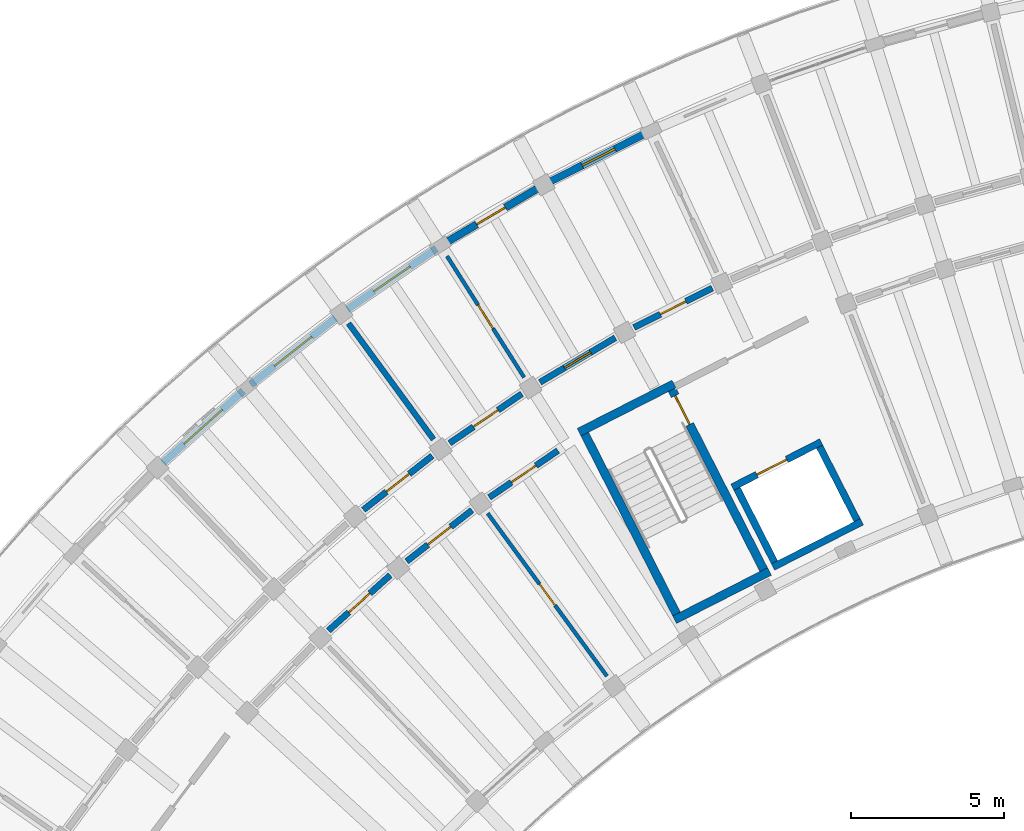
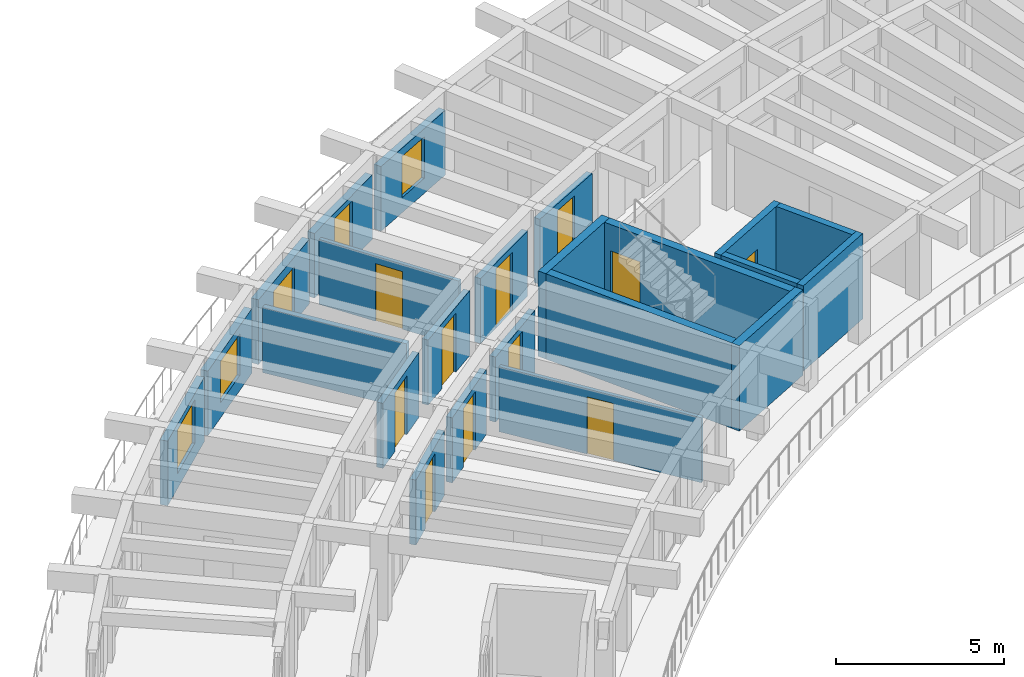
# One storey, part 44 of 78: 23 walls, 12 doors, 4 windows, 16 openings.
"""IFC4 building model written with IfcOpenShell, lengths in metres."""

from ifc_helpers import new_model, si_unit, direction, frame, frame_2d, origin, place, context, subcontext, project, spatial, rectangle, extrude, material, layer, layer_set, type_object, element, fill, save


model = new_model("IFC4")

# Units and contexts
model_context = context("Model", 3, precision=1e-05, world=origin(), true_north=direction((0.0, 1.0)))
body_context = subcontext(model_context, "Body", "Model", "MODEL_VIEW")
ifc_project = project(units=[si_unit("LENGTHUNIT", "METRE"), si_unit("AREAUNIT", "SQUARE_METRE"), si_unit("VOLUMEUNIT", "CUBIC_METRE"), si_unit("PLANEANGLEUNIT", "RADIAN"), si_unit("MASSUNIT", "GRAM", prefix="KILO")], contexts=[model_context])

# Site, building, storey
site_placement = place(None, origin())
site = spatial("IfcSite", under=ifc_project, at=site_placement, CompositionType="ELEMENT")
building_placement = place(site_placement, origin())
building = spatial("IfcBuilding", under=site, at=building_placement, Name="Tanwirah Colonnade Gardens", CompositionType="ELEMENT")
storey_placement = place(building_placement, frame((0.0, 0.0, 22.280029296875)))
storey = spatial("IfcBuildingStorey", under=building, at=storey_placement, Name="L06", CompositionType="ELEMENT", Elevation=22.280029296875)

# Wall, opening, window
ifc_material_1 = material(Name="Limestone architectural precast concrete C40/50", Category="masonry")
ifc_layer_1 = layer(ifc_material_1, 0.2451171875)
ifc_layer_set_1 = layer_set([ifc_layer_1], Name="Limestone architectural precast concrete C40/50")
wall_type_1 = type_object("IfcWallType", Name="EW-PC245", PredefinedType="SOLIDWALL", material=ifc_layer_set_1)
wall_1_placement = place(storey_placement, frame((39.794921875, 114.147216796875, 0.0), z_axis=(0.0, 0.0, 1.0), x_axis=(-0.892756700232, -0.450539092855, 0.0)))
wall_1 = element("IfcWall", 1, at=wall_1_placement, inside=storey, type_object=wall_type_1, Name="Block A L06 OUT Precast Facade Wall 5", PredefinedType="SOLIDWALL", context=body_context, shape_type="SweptSolid", body=[
    extrude(rectangle(XDim=3.520751953125, YDim=0.2451171875, at=frame_2d((1.76025390625, 0.0))), origin(), (0.0, 0.0, 1.0), 2.35498046875),
])
opening_1_placement = place(wall_1_placement, frame((1.160400390625, 0.0, 0.550048828125)))
opening_1 = element("IfcOpeningElement", 2, at=opening_1_placement, cuts=wall_1, Name="Opening WIN-U02", PredefinedType="OPENING", context=body_context, shape_type="SweptSolid", body=[
    extrude(rectangle(XDim=1.199951171875, YDim=1.510009765625, at=frame_2d((0.60009765625, 0.7548828125))), frame((0.0, 0.132568359375, 0.0), z_axis=(0.0, -1.0, 0.0), x_axis=(1.0, 0.0, 0.0)), (0.0, 0.0, 1.0), 0.26513671875),
])
ifc_material_2 = material(Name="Thermally broken bronze aluminium and solar low-E double glazing", Category="aluminium")
window_type_1 = type_object("IfcWindowType", Name="WIN-U02", PartitioningType="DOUBLE_PANEL_VERTICAL", PredefinedType="WINDOW", material=ifc_material_2)
window_1_placement = place(opening_1_placement, origin())
window_1 = element("IfcWindow", 3, at=window_1_placement, inside=storey, type_object=window_type_1, Name="Facade window A-L06-OUT-05", OverallHeight=1.510009765625, OverallWidth=1.199951171875, PartitioningType="SINGLE_PANEL", PredefinedType="WINDOW", context=body_context, shape_type="SweptSolid", body=[
    extrude(rectangle(XDim=1.199951171875, YDim=1.510009765625, at=frame_2d((0.60009765625, 0.7548828125))), frame((0.0, 0.030029296875, 0.0), z_axis=(0.0, -1.0, 0.0), x_axis=(1.0, 0.0, 0.0)), (0.0, 0.0, 1.0), 0.06005859375),
])
fill(opening_1, window_1)

# Wall, opening, door
wall_2_placement = place(storey_placement, frame((36.22216796875, 112.326171875, 0.0), z_axis=(0.0, 0.0, 1.0), x_axis=(-0.861154218161, -0.50834379365, 0.0)))
wall_2 = element("IfcWall", 4, at=wall_2_placement, inside=storey, type_object=wall_type_1, Name="Block A L06 OUT Precast Facade Wall 6", PredefinedType="SOLIDWALL", context=body_context, shape_type="SweptSolid", body=[
    extrude(rectangle(XDim=3.520751953125, YDim=0.2451171875, at=frame_2d((1.76025390625, 0.0))), origin(), (0.0, 0.0, 1.0), 2.35498046875),
])
opening_2_placement = place(wall_2_placement, frame((1.22021484375, 0.0, 0.0)))
opening_2 = element("IfcOpeningElement", 5, at=opening_2_placement, cuts=wall_2, Name="Opening L06-ED029", PredefinedType="OPENING", context=body_context, shape_type="SweptSolid", body=[
    extrude(rectangle(XDim=1.080078125, YDim=2.14990234375, at=frame_2d((0.5400390625, 1.074951171875))), frame((0.0, 0.132568359375, 0.0), z_axis=(0.0, -1.0, 0.0), x_axis=(1.0, 0.0, 0.0)), (0.0, 0.0, 1.0), 0.26513671875),
])
ifc_material_3 = material(Name="Bronze aluminium glazed balcony door", Category="aluminium")
door_type_1 = type_object("IfcDoorType", Name="ED-BAL108", OperationType="NOTDEFINED", PredefinedType="DOOR", material=ifc_material_3)
door_1_placement = place(opening_2_placement, origin())
door_1 = element("IfcDoor", 6, at=door_1_placement, inside=storey, type_object=door_type_1, Name="Balcony glazed door L06-ED029", OperationType="SINGLE_SWING_LEFT", OverallHeight=2.14990234375, OverallWidth=1.080078125, PredefinedType="DOOR", context=body_context, shape_type="SweptSolid", body=[
    extrude(rectangle(XDim=1.080078125, YDim=2.14990234375, at=frame_2d((0.5400390625, 1.074951171875))), frame((0.0, 0.02490234375, 0.0), z_axis=(0.0, -1.0, 0.0), x_axis=(1.0, 0.0, 0.0)), (0.0, 0.0, 1.0), 0.050048828125),
])
fill(opening_2, door_1)

# Wall, opening, window
wall_3_placement = place(storey_placement, frame((32.92041015625, 110.36474609375, 0.0), z_axis=(0.0, 0.0, 1.0), x_axis=(-0.825745840472, -0.56404238045, 0.0)))
wall_3 = element("IfcWall", 7, at=wall_3_placement, inside=storey, type_object=wall_type_1, Name="Block A L06 OUT Precast Facade Wall 7", PredefinedType="SOLIDWALL", context=body_context, shape_type="SweptSolid", body=[
    extrude(rectangle(XDim=3.520751953125, YDim=0.2451171875, at=frame_2d((1.76025390625, 0.0))), origin(), (0.0, 0.0, 1.0), 2.35498046875),
])
opening_3_placement = place(wall_3_placement, frame((1.040283203125, 0.0, 0.35009765625)))
opening_3 = element("IfcOpeningElement", 8, at=opening_3_placement, cuts=wall_3, Name="Opening WIN-U08", PredefinedType="OPENING", context=body_context, shape_type="SweptSolid", body=[
    extrude(rectangle(XDim=1.43994140625, YDim=1.659912109375, at=frame_2d((0.719970703125, 0.830078125))), frame((0.0, 0.132568359375, 0.0), z_axis=(0.0, -1.0, 0.0), x_axis=(1.0, 0.0, 0.0)), (0.0, 0.0, 1.0), 0.26513671875),
])
window_type_2 = type_object("IfcWindowType", Name="WIN-U08", PartitioningType="DOUBLE_PANEL_VERTICAL", PredefinedType="WINDOW", material=ifc_material_2)
window_2_placement = place(opening_3_placement, origin())
window_2 = element("IfcWindow", 9, at=window_2_placement, inside=storey, type_object=window_type_2, Name="Facade window A-L06-OUT-07", OverallHeight=1.659912109375, OverallWidth=1.43994140625, PartitioningType="SINGLE_PANEL", PredefinedType="WINDOW", context=body_context, shape_type="SweptSolid", body=[
    extrude(rectangle(XDim=1.43994140625, YDim=1.659912109375, at=frame_2d((0.719970703125, 0.830078125))), frame((0.0, 0.030029296875, 0.0), z_axis=(0.0, -1.0, 0.0), x_axis=(1.0, 0.0, 0.0)), (0.0, 0.0, 1.0), 0.06005859375),
])
fill(opening_3, window_2)

wall_4_placement = place(storey_placement, frame((29.617919921875, 108.089599609375, 0.0), z_axis=(0.0, 0.0, 1.0), x_axis=(-0.786813798172, -0.617190446301, 0.0)))
wall_4 = element("IfcWall", 10, at=wall_4_placement, inside=storey, type_object=wall_type_1, Name="Block A L06 OUT Precast Facade Wall 8", PredefinedType="SOLIDWALL", context=body_context, shape_type="SweptSolid", body=[
    extrude(rectangle(XDim=3.5205078125, YDim=0.2451171875, at=frame_2d((1.76025390625, 0.0))), origin(), (0.0, 0.0, 1.0), 2.35498046875),
])
opening_4_placement = place(wall_4_placement, frame((0.980224609375, 0.0, 0.550048828125)))
opening_4 = element("IfcOpeningElement", 11, at=opening_4_placement, cuts=wall_4, Name="Opening WIN-U11", PredefinedType="OPENING", context=body_context, shape_type="SweptSolid", body=[
    extrude(rectangle(XDim=1.56005859375, YDim=1.510009765625, at=frame_2d((0.780029296875, 0.7548828125))), frame((0.0, 0.132568359375, 0.0), z_axis=(0.0, -1.0, 0.0), x_axis=(1.0, 0.0, 0.0)), (0.0, 0.0, 1.0), 0.26513671875),
])
window_type_3 = type_object("IfcWindowType", Name="WIN-U11", PartitioningType="DOUBLE_PANEL_VERTICAL", PredefinedType="WINDOW", material=ifc_material_2)
window_3_placement = place(opening_4_placement, origin())
window_3 = element("IfcWindow", 12, at=window_3_placement, inside=storey, type_object=window_type_3, Name="Facade window A-L06-OUT-08", OverallHeight=1.510009765625, OverallWidth=1.56005859375, PartitioningType="SINGLE_PANEL", PredefinedType="WINDOW", context=body_context, shape_type="SweptSolid", body=[
    extrude(rectangle(XDim=1.56005859375, YDim=1.510009765625, at=frame_2d((0.780029296875, 0.7548828125))), frame((0.0, 0.030029296875, 0.0), z_axis=(0.0, -1.0, 0.0), x_axis=(1.0, 0.0, 0.0)), (0.0, 0.0, 1.0), 0.06005859375),
])
fill(opening_4, window_3)

wall_5_placement = place(storey_placement, frame((26.602783203125, 105.711181640625, 0.0), z_axis=(0.0, 0.0, 1.0), x_axis=(-0.744413726571, -0.667718656092, 0.0)))
wall_5 = element("IfcWall", 13, at=wall_5_placement, inside=storey, type_object=wall_type_1, Name="Block A L06 OUT Precast Facade Wall 9", PredefinedType="SOLIDWALL", context=body_context, shape_type="SweptSolid", body=[
    extrude(rectangle(XDim=3.520751953125, YDim=0.2451171875, at=frame_2d((1.76025390625, 0.0))), origin(), (0.0, 0.0, 1.0), 2.35498046875),
])
opening_5_placement = place(wall_5_placement, frame((0.92041015625, 0.0, 0.550048828125)))
opening_5 = element("IfcOpeningElement", 14, at=opening_5_placement, cuts=wall_5, Name="Opening WIN-U14", PredefinedType="OPENING", context=body_context, shape_type="SweptSolid", body=[
    extrude(rectangle(XDim=1.679931640625, YDim=1.5849609375, at=frame_2d((0.83984375, 0.79248046875))), frame((0.0, 0.132568359375, 0.0), z_axis=(0.0, -1.0, 0.0), x_axis=(1.0, 0.0, 0.0)), (0.0, 0.0, 1.0), 0.26513671875),
])
window_type_4 = type_object("IfcWindowType", Name="WIN-U14", PartitioningType="DOUBLE_PANEL_VERTICAL", PredefinedType="WINDOW", material=ifc_material_2)
window_4_placement = place(opening_5_placement, origin())
window_4 = element("IfcWindow", 15, at=window_4_placement, inside=storey, type_object=window_type_4, Name="Facade window A-L06-OUT-09", OverallHeight=1.5849609375, OverallWidth=1.679931640625, PartitioningType="SINGLE_PANEL", PredefinedType="WINDOW", context=body_context, shape_type="SweptSolid", body=[
    extrude(rectangle(XDim=1.679931640625, YDim=1.5849609375, at=frame_2d((0.83984375, 0.79248046875))), frame((0.0, 0.030029296875, 0.0), z_axis=(0.0, -1.0, 0.0), x_axis=(1.0, 0.0, 0.0)), (0.0, 0.0, 1.0), 0.06005859375),
])
fill(opening_5, window_4)

# Wall, opening, door
ifc_material_4 = material(Name="Precast concrete C40/50", Category="concrete")
ifc_layer_2 = layer(ifc_material_4, 0.205078125)
ifc_layer_set_2 = layer_set([ifc_layer_2], Name="Precast concrete C40/50")
wall_type_2 = type_object("IfcWallType", Name="IW-CORR205", PredefinedType="PARTITIONING", material=ifc_layer_set_2)
wall_6_placement = place(storey_placement, frame((41.93994140625, 109.072509765625, 0.0), z_axis=(0.0, 0.0, 1.0), x_axis=(-0.89273239336, -0.450587254419, 0.0)))
wall_6 = element("IfcWall", 16, at=wall_6_placement, inside=storey, type_object=wall_type_2, Name="Block A L06 OUT Corridor Wall 5", PredefinedType="PARTITIONING", context=body_context, shape_type="SweptSolid", body=[
    extrude(rectangle(XDim=2.863037109375, YDim=0.205078125, at=frame_2d((1.431640625, 0.0))), origin(), (0.0, 0.0, 1.0), 2.369873046875),
])
opening_6_placement = place(wall_6_placement, frame((0.966552734375, 0.0, 0.0)))
opening_6 = element("IfcOpeningElement", 17, at=opening_6_placement, cuts=wall_6, Name="Opening L06-AD485", PredefinedType="OPENING", context=body_context, shape_type="SweptSolid", body=[
    extrude(rectangle(XDim=0.929931640625, YDim=2.1201171875, at=frame_2d((0.46484375, 1.06005859375))), frame((0.0, 0.112548828125, 0.0), z_axis=(0.0, -1.0, 0.0), x_axis=(1.0, 0.0, 0.0)), (0.0, 0.0, 1.0), 0.22509765625),
])
ifc_material_5 = material(Name="Solid oak fire-resisting apartment entrance door")
door_type_2 = type_object("IfcDoorType", Name="ID-FLT093", OperationType="NOTDEFINED", PredefinedType="DOOR", material=ifc_material_5)
door_2_placement = place(opening_6_placement, origin())
door_2 = element("IfcDoor", 18, at=door_2_placement, inside=storey, type_object=door_type_2, Name="Apartment corridor door L06-AD485", OperationType="SINGLE_SWING_RIGHT", OverallHeight=2.1201171875, OverallWidth=0.929931640625, PredefinedType="DOOR", context=body_context, shape_type="SweptSolid", body=[
    extrude(rectangle(XDim=0.929931640625, YDim=2.1201171875, at=frame_2d((0.46484375, 1.06005859375))), frame((0.0, 0.02490234375, 0.0), z_axis=(0.0, -1.0, 0.0), x_axis=(1.0, 0.0, 0.0)), (0.0, 0.0, 1.0), 0.050048828125),
])
fill(opening_6, door_2)

wall_7_placement = place(storey_placement, frame((38.77001953125, 107.447021484375, 0.0), z_axis=(0.0, 0.0, 1.0), x_axis=(-0.861113214678, -0.508413248753, 0.0)))
wall_7 = element("IfcWall", 19, at=wall_7_placement, inside=storey, type_object=wall_type_2, Name="Block A L06 OUT Corridor Wall 6", PredefinedType="PARTITIONING", context=body_context, shape_type="SweptSolid", body=[
    extrude(rectangle(XDim=2.863037109375, YDim=0.205078125, at=frame_2d((1.431640625, 0.0))), origin(), (0.0, 0.0, 1.0), 2.369873046875),
])
opening_7_placement = place(wall_7_placement, frame((0.9365234375, 0.0, 0.0)))
opening_7 = element("IfcOpeningElement", 20, at=opening_7_placement, cuts=wall_7, Name="Opening L06-AD486", PredefinedType="OPENING", context=body_context, shape_type="SweptSolid", body=[
    extrude(rectangle(XDim=0.989990234375, YDim=2.159912109375, at=frame_2d((0.4951171875, 1.080078125))), frame((0.0, 0.112548828125, 0.0), z_axis=(0.0, -1.0, 0.0), x_axis=(1.0, 0.0, 0.0)), (0.0, 0.0, 1.0), 0.22509765625),
])
door_type_3 = type_object("IfcDoorType", Name="ID-FLT099", OperationType="NOTDEFINED", PredefinedType="DOOR", material=ifc_material_5)
door_3_placement = place(opening_7_placement, origin())
door_3 = element("IfcDoor", 21, at=door_3_placement, inside=storey, type_object=door_type_3, Name="Apartment corridor door L06-AD486", OperationType="SINGLE_SWING_LEFT", OverallHeight=2.159912109375, OverallWidth=0.989990234375, PredefinedType="DOOR", context=body_context, shape_type="SweptSolid", body=[
    extrude(rectangle(XDim=0.989990234375, YDim=2.159912109375, at=frame_2d((0.4951171875, 1.080078125))), frame((0.0, 0.02490234375, 0.0), z_axis=(0.0, -1.0, 0.0), x_axis=(1.0, 0.0, 0.0)), (0.0, 0.0, 1.0), 0.050048828125),
])
fill(opening_7, door_3)

wall_8_placement = place(storey_placement, frame((35.714111328125, 105.615966796875, 0.0), z_axis=(0.0, 0.0, 1.0), x_axis=(-0.825779671787, -0.563992848947, 0.0)))
wall_8 = element("IfcWall", 22, at=wall_8_placement, inside=storey, type_object=wall_type_2, Name="Block A L06 OUT Corridor Wall 7", PredefinedType="PARTITIONING", context=body_context, shape_type="SweptSolid", body=[
    extrude(rectangle(XDim=2.863037109375, YDim=0.205078125, at=frame_2d((1.431640625, 0.0))), origin(), (0.0, 0.0, 1.0), 2.369873046875),
])
opening_8_placement = place(wall_8_placement, frame((0.946533203125, 0.0, 0.0)))
opening_8 = element("IfcOpeningElement", 23, at=opening_8_placement, cuts=wall_8, Name="Opening L06-AD488", PredefinedType="OPENING", context=body_context, shape_type="SweptSolid", body=[
    extrude(rectangle(XDim=0.969970703125, YDim=2.14990234375, at=frame_2d((0.48486328125, 1.074951171875))), frame((0.0, 0.112548828125, 0.0), z_axis=(0.0, -1.0, 0.0), x_axis=(1.0, 0.0, 0.0)), (0.0, 0.0, 1.0), 0.22509765625),
])
door_type_4 = type_object("IfcDoorType", Name="ID-FLT097", OperationType="NOTDEFINED", PredefinedType="DOOR", material=ifc_material_5)
door_4_placement = place(opening_8_placement, origin())
door_4 = element("IfcDoor", 24, at=door_4_placement, inside=storey, type_object=door_type_4, Name="Apartment corridor door L06-AD488", OperationType="SINGLE_SWING_RIGHT", OverallHeight=2.14990234375, OverallWidth=0.969970703125, PredefinedType="DOOR", context=body_context, shape_type="SweptSolid", body=[
    extrude(rectangle(XDim=0.969970703125, YDim=2.14990234375, at=frame_2d((0.48486328125, 1.074951171875))), frame((0.0, 0.02490234375, 0.0), z_axis=(0.0, -1.0, 0.0), x_axis=(1.0, 0.0, 0.0)), (0.0, 0.0, 1.0), 0.050048828125),
])
fill(opening_8, door_4)

wall_9_placement = place(storey_placement, frame((36.89453125, 103.759521484375, 0.0), z_axis=(0.0, 0.0, 1.0), x_axis=(-0.825752009056, -0.56403334967, 0.0)))
wall_9 = element("IfcWall", 25, at=wall_9_placement, inside=storey, type_object=wall_type_2, Name="Block A L06 IN Corridor Wall 7", PredefinedType="PARTITIONING", context=body_context, shape_type="SweptSolid", body=[
    extrude(rectangle(XDim=2.71826171875, YDim=0.205078125, at=frame_2d((1.359130859375, 0.0))), origin(), (0.0, 0.0, 1.0), 2.369873046875),
])
opening_9_placement = place(wall_9_placement, frame((0.8740234375, 0.0, 0.0)))
opening_9 = element("IfcOpeningElement", 26, at=opening_9_placement, cuts=wall_9, Name="Opening L06-AD489", PredefinedType="OPENING", context=body_context, shape_type="SweptSolid", body=[
    extrude(rectangle(XDim=0.969970703125, YDim=2.14990234375, at=frame_2d((0.48486328125, 1.074951171875))), frame((0.0, 0.112548828125, 0.0), z_axis=(0.0, -1.0, 0.0), x_axis=(1.0, 0.0, 0.0)), (0.0, 0.0, 1.0), 0.22509765625),
])
door_5_placement = place(opening_9_placement, origin())
door_5 = element("IfcDoor", 27, at=door_5_placement, inside=storey, type_object=door_type_4, Name="Apartment corridor door L06-AD489", OperationType="SINGLE_SWING_LEFT", OverallHeight=2.14990234375, OverallWidth=0.969970703125, PredefinedType="DOOR", context=body_context, shape_type="SweptSolid", body=[
    extrude(rectangle(XDim=0.969970703125, YDim=2.14990234375, at=frame_2d((0.48486328125, 1.074951171875))), frame((0.0, 0.02490234375, 0.0), z_axis=(0.0, -1.0, 0.0), x_axis=(1.0, 0.0, 0.0)), (0.0, 0.0, 1.0), 0.050048828125),
])
fill(opening_9, door_5)

wall_10_placement = place(storey_placement, frame((32.785400390625, 103.587890625, 0.0), z_axis=(0.0, 0.0, 1.0), x_axis=(-0.786806323554, -0.617199975061, 0.0)))
wall_10 = element("IfcWall", 28, at=wall_10_placement, inside=storey, type_object=wall_type_2, Name="Block A L06 OUT Corridor Wall 8", PredefinedType="PARTITIONING", context=body_context, shape_type="SweptSolid", body=[
    extrude(rectangle(XDim=2.863037109375, YDim=0.205078125, at=frame_2d((1.431640625, 0.0))), origin(), (0.0, 0.0, 1.0), 2.369873046875),
])
opening_10_placement = place(wall_10_placement, frame((0.95654296875, 0.0, 0.0)))
opening_10 = element("IfcOpeningElement", 29, at=opening_10_placement, cuts=wall_10, Name="Opening L06-AD491", PredefinedType="OPENING", context=body_context, shape_type="SweptSolid", body=[
    extrude(rectangle(XDim=0.949951171875, YDim=2.1298828125, at=frame_2d((0.47509765625, 1.06494140625))), frame((0.0, 0.112548828125, 0.0), z_axis=(0.0, -1.0, 0.0), x_axis=(1.0, 0.0, 0.0)), (0.0, 0.0, 1.0), 0.22509765625),
])
door_type_5 = type_object("IfcDoorType", Name="ID-FLT095", OperationType="NOTDEFINED", PredefinedType="DOOR", material=ifc_material_5)
door_6_placement = place(opening_10_placement, origin())
door_6 = element("IfcDoor", 30, at=door_6_placement, inside=storey, type_object=door_type_5, Name="Apartment corridor door L06-AD491", OperationType="SINGLE_SWING_LEFT", OverallHeight=2.1298828125, OverallWidth=0.949951171875, PredefinedType="DOOR", context=body_context, shape_type="SweptSolid", body=[
    extrude(rectangle(XDim=0.949951171875, YDim=2.1298828125, at=frame_2d((0.47509765625, 1.06494140625))), frame((0.0, 0.02490234375, 0.0), z_axis=(0.0, -1.0, 0.0), x_axis=(1.0, 0.0, 0.0)), (0.0, 0.0, 1.0), 0.050048828125),
])
fill(opening_10, door_6)

wall_11_placement = place(storey_placement, frame((34.08544921875, 101.81298828125, 0.0), z_axis=(0.0, 0.0, 1.0), x_axis=(-0.786835457019, -0.617162833924, 0.0)))
wall_11 = element("IfcWall", 31, at=wall_11_placement, inside=storey, type_object=wall_type_2, Name="Block A L06 IN Corridor Wall 8", PredefinedType="PARTITIONING", context=body_context, shape_type="SweptSolid", body=[
    extrude(rectangle(XDim=2.718017578125, YDim=0.205078125, at=frame_2d((1.35888671875, 0.0))), origin(), (0.0, 0.0, 1.0), 2.369873046875),
])
opening_11_placement = place(wall_11_placement, frame((0.884033203125, 0.0, 0.0)))
opening_11 = element("IfcOpeningElement", 32, at=opening_11_placement, cuts=wall_11, Name="Opening L06-AD492", PredefinedType="OPENING", context=body_context, shape_type="SweptSolid", body=[
    extrude(rectangle(XDim=0.949951171875, YDim=2.1298828125, at=frame_2d((0.47509765625, 1.06494140625))), frame((0.0, 0.112548828125, 0.0), z_axis=(0.0, -1.0, 0.0), x_axis=(1.0, 0.0, 0.0)), (0.0, 0.0, 1.0), 0.22509765625),
])
door_7_placement = place(opening_11_placement, origin())
door_7 = element("IfcDoor", 33, at=door_7_placement, inside=storey, type_object=door_type_5, Name="Apartment corridor door L06-AD492", OperationType="SINGLE_SWING_RIGHT", OverallHeight=2.1298828125, OverallWidth=0.949951171875, PredefinedType="DOOR", context=body_context, shape_type="SweptSolid", body=[
    extrude(rectangle(XDim=0.949951171875, YDim=2.1298828125, at=frame_2d((0.47509765625, 1.06494140625))), frame((0.0, 0.02490234375, 0.0), z_axis=(0.0, -1.0, 0.0), x_axis=(1.0, 0.0, 0.0)), (0.0, 0.0, 1.0), 0.050048828125),
])
fill(opening_11, door_7)

wall_12_placement = place(storey_placement, frame((31.410888671875, 99.685791015625, 0.0), z_axis=(0.0, 0.0, 1.0), x_axis=(-0.744418559135, -0.667713268413, 0.0)))
wall_12 = element("IfcWall", 34, at=wall_12_placement, inside=storey, type_object=wall_type_2, Name="Block A L06 IN Corridor Wall 9", PredefinedType="PARTITIONING", context=body_context, shape_type="SweptSolid", body=[
    extrude(rectangle(XDim=2.71826171875, YDim=0.205078125, at=frame_2d((1.359130859375, 0.0))), origin(), (0.0, 0.0, 1.0), 2.369873046875),
])
opening_12_placement = place(wall_12_placement, frame((0.89404296875, 0.0, 0.0)))
opening_12 = element("IfcOpeningElement", 35, at=opening_12_placement, cuts=wall_12, Name="Opening L06-AD494", PredefinedType="OPENING", context=body_context, shape_type="SweptSolid", body=[
    extrude(rectangle(XDim=0.929931640625, YDim=2.1201171875, at=frame_2d((0.46484375, 1.06005859375))), frame((0.0, 0.112548828125, 0.0), z_axis=(0.0, -1.0, 0.0), x_axis=(1.0, 0.0, 0.0)), (0.0, 0.0, 1.0), 0.22509765625),
])
door_8_placement = place(opening_12_placement, origin())
door_8 = element("IfcDoor", 36, at=door_8_placement, inside=storey, type_object=door_type_2, Name="Apartment corridor door L06-AD494", OperationType="SINGLE_SWING_LEFT", OverallHeight=2.1201171875, OverallWidth=0.929931640625, PredefinedType="DOOR", context=body_context, shape_type="SweptSolid", body=[
    extrude(rectangle(XDim=0.929931640625, YDim=2.1201171875, at=frame_2d((0.46484375, 1.06005859375))), frame((0.0, 0.02490234375, 0.0), z_axis=(0.0, -1.0, 0.0), x_axis=(1.0, 0.0, 0.0)), (0.0, 0.0, 1.0), 0.050048828125),
])
fill(opening_12, door_8)

# Wall
ifc_layer_3 = layer(ifc_material_4, 0.18505859375)
ifc_layer_set_3 = layer_set([ifc_layer_3], Name="Precast concrete C40/50")
wall_type_3 = type_object("IfcWallType", Name="IW-DEM185", PredefinedType="PARTITIONING", material=ifc_layer_set_3)
wall_13_placement = place(storey_placement, frame((32.824462890625, 104.12646484375, 0.0), z_axis=(0.0, 0.0, 1.0), x_axis=(-0.590910940129, 0.806736797745, 0.0)))
element("IfcWall", 37, at=wall_13_placement, inside=storey, type_object=wall_type_3, Name="Block A L06 Radial Partition 7", PredefinedType="PARTITIONING", context=body_context, shape_type="SweptSolid", body=[
    extrude(rectangle(XDim=4.7001953125, YDim=0.18505859375, at=frame_2d((2.35009765625, 0.0))), origin(), (0.0, 0.0, 1.0), 2.369873046875),
])

# Wall, opening, door
ifc_material_6 = material(Name="Moisture-resistant gypsum stud partition")
ifc_layer_4 = layer(ifc_material_6, 0.125)
ifc_layer_set_4 = layer_set([ifc_layer_4], Name="Moisture-resistant gypsum stud partition")
wall_type_4 = type_object("IfcWallType", Name="IW-INT125", PredefinedType="PARTITIONING", material=ifc_layer_set_4)
wall_14_placement = place(storey_placement, frame((35.78857421875, 106.151123046875, 0.0), z_axis=(0.0, 0.0, 1.0), x_axis=(-0.536492262982, 0.843905238614, 0.0)))
wall_14 = element("IfcWall", 38, at=wall_14_placement, inside=storey, type_object=wall_type_4, Name="Block A L06 Radial Partition 6", PredefinedType="PARTITIONING", context=body_context, shape_type="SweptSolid", body=[
    extrude(rectangle(XDim=4.699951171875, YDim=0.125, at=frame_2d((2.35009765625, 0.0))), origin(), (0.0, 0.0, 1.0), 2.369873046875),
])
opening_13_placement = place(wall_14_placement, frame((1.89501953125, 0.0, 0.0)))
opening_13 = element("IfcOpeningElement", 39, at=opening_13_placement, cuts=wall_14, Name="Opening L06-RD487", PredefinedType="OPENING", context=body_context, shape_type="SweptSolid", body=[
    extrude(rectangle(XDim=0.909912109375, YDim=2.10009765625, at=frame_2d((0.455078125, 1.050048828125))), frame((0.0, 0.072509765625, 0.0), z_axis=(0.0, -1.0, 0.0), x_axis=(1.0, 0.0, 0.0)), (0.0, 0.0, 1.0), 0.14501953125),
])
ifc_material_7 = material(Name="Painted hardwood internal room door", Category="wood")
door_type_6 = type_object("IfcDoorType", Name="ID-RM091", OperationType="NOTDEFINED", PredefinedType="DOOR", material=ifc_material_7)
door_9_placement = place(opening_13_placement, origin())
door_9 = element("IfcDoor", 40, at=door_9_placement, inside=storey, type_object=door_type_6, Name="Internal apartment door L06-RD487", OperationType="SINGLE_SWING_LEFT", OverallHeight=2.10009765625, OverallWidth=0.909912109375, PredefinedType="DOOR", context=body_context, shape_type="SweptSolid", body=[
    extrude(rectangle(XDim=0.909912109375, YDim=2.10009765625, at=frame_2d((0.455078125, 1.050048828125))), frame((0.0, 0.02490234375, 0.0), z_axis=(0.0, -1.0, 0.0), x_axis=(1.0, 0.0, 0.0)), (0.0, 0.0, 1.0), 0.050048828125),
])
fill(opening_13, door_9)

wall_15_placement = place(storey_placement, frame((38.497314453125, 96.3818359375, 0.0), z_axis=(0.0, 0.0, 1.0), x_axis=(-0.590924179316, 0.806727100263, 0.0)))
wall_15 = element("IfcWall", 41, at=wall_15_placement, inside=storey, type_object=wall_type_4, Name="Block A L06 Inner Radial Partition 7", PredefinedType="PARTITIONING", context=body_context, shape_type="SweptSolid", body=[
    extrude(rectangle(XDim=6.60009765625, YDim=0.125, at=frame_2d((3.300048828125, 0.0))), origin(), (0.0, 0.0, 1.0), 2.369873046875),
])
opening_14_placement = place(wall_15_placement, frame((2.864990234375, 0.0, 0.0)))
opening_14 = element("IfcOpeningElement", 42, at=opening_14_placement, cuts=wall_15, Name="Opening L06-RD490", PredefinedType="OPENING", context=body_context, shape_type="SweptSolid", body=[
    extrude(rectangle(XDim=0.8701171875, YDim=2.080078125, at=frame_2d((0.43505859375, 1.0400390625))), frame((0.0, 0.072509765625, 0.0), z_axis=(0.0, -1.0, 0.0), x_axis=(1.0, 0.0, 0.0)), (0.0, 0.0, 1.0), 0.14501953125),
])
ifc_material_8 = material(Name="Painted hardwood study door", Category="wood")
door_type_7 = type_object("IfcDoorType", Name="ID-RM087", OperationType="NOTDEFINED", PredefinedType="DOOR", material=ifc_material_8)
door_10_placement = place(opening_14_placement, origin())
door_10 = element("IfcDoor", 43, at=door_10_placement, inside=storey, type_object=door_type_7, Name="Internal apartment door L06-RD490", OperationType="SINGLE_SWING_LEFT", OverallHeight=2.080078125, OverallWidth=0.8701171875, PredefinedType="DOOR", context=body_context, shape_type="SweptSolid", body=[
    extrude(rectangle(XDim=0.8701171875, YDim=2.080078125, at=frame_2d((0.43505859375, 1.0400390625))), frame((0.0, 0.02490234375, 0.0), z_axis=(0.0, -1.0, 0.0), x_axis=(1.0, 0.0, 0.0)), (0.0, 0.0, 1.0), 0.050048828125),
])
fill(opening_14, door_10)

# Walls
ifc_material_9 = material(Name="Concrete C45/55", Category="concrete")
ifc_layer_5 = layer(ifc_material_9, 0.280029296875)
ifc_layer_set_5 = layer_set([ifc_layer_5], Name="Concrete C45/55")
wall_type_5 = type_object("IfcWallType", Name="SW-CORE280", PredefinedType="SHEAR", material=ifc_layer_set_5)
wall_16_placement = place(storey_placement, frame((37.7734375, 104.295654296875, 0.0), z_axis=(0.0, 0.0, 1.0), x_axis=(0.453992276384, -0.891005618941, 0.0)))
element("IfcWall", 44, at=wall_16_placement, inside=storey, type_object=wall_type_5, Name="CORE-A1 L06 Stair Shaft Shear Wall LEFT", PredefinedType="SHEAR", context=body_context, shape_type="SweptSolid", body=[
    extrude(rectangle(XDim=6.599853515625, YDim=0.280029296875, at=frame_2d((3.2998046875, 0.0))), origin(), (0.0, 0.0, 1.0), 3.10986328125),
])
for number, where, z_axis, x_axis, name in (
    (45, (40.708740234375, 98.2265625, 0.0), (0.0, 0.0, 1.0), (0.891005763861, 0.453991991964, 0.0), "CORE-A1 L06 Stair Shaft Shear Wall FAR"),
    (46, (37.585205078125, 104.356689453125, 0.0), (0.0, 0.0, 1.0), (0.891020222667, 0.453963613958, 0.0), "CORE-A1 L06 Stair Shaft Shear Wall NEAR"),
):
    element("IfcWall", number, at=place(storey_placement, frame(where, z_axis=z_axis, x_axis=x_axis)), inside=storey, type_object=wall_type_5, Name=name, PredefinedType="SHEAR", context=body_context, shape_type="SweptSolid", body=[
        extrude(rectangle(XDim=3.47998046875, YDim=0.280029296875, at=frame_2d((1.739990234375, 0.0))), origin(), (0.0, 0.0, 1.0), 3.10986328125),
    ])

# Wall, opening, door
wall_17_placement = place(storey_placement, frame((40.624755859375, 105.748291015625, 0.0), z_axis=(0.0, 0.0, 1.0), x_axis=(0.453992276384, -0.891005618941, 0.0)))
wall_17 = element("IfcWall", 47, at=wall_17_placement, inside=storey, type_object=wall_type_5, Name="CORE-A1 L06 Stair Shaft Shear Wall RIGHT", PredefinedType="SHEAR", context=body_context, shape_type="SweptSolid", body=[
    extrude(rectangle(XDim=6.599853515625, YDim=0.280029296875, at=frame_2d((3.2998046875, 0.0))), origin(), (0.0, 0.0, 1.0), 3.10986328125),
])
opening_15_placement = place(wall_17_placement, frame((0.219970703125, 0.0, 0.0)))
opening_15 = element("IfcOpeningElement", 48, at=opening_15_placement, cuts=wall_17, Name="Opening L06-SD008", PredefinedType="OPENING", context=body_context, shape_type="SweptSolid", body=[
    extrude(rectangle(XDim=1.050048828125, YDim=2.14990234375, at=frame_2d((0.52490234375, 1.074951171875))), frame((0.0, 0.14990234375, 0.0), z_axis=(0.0, -1.0, 0.0), x_axis=(1.0, 0.0, 0.0)), (0.0, 0.0, 1.0), 0.300048828125),
])
ifc_material_10 = material(Name="Steel fire-resisting stair enclosure door", Category="steel")
door_type_8 = type_object("IfcDoorType", Name="ID-ST105", OperationType="NOTDEFINED", PredefinedType="DOOR", material=ifc_material_10)
door_11_placement = place(opening_15_placement, origin())
door_11 = element("IfcDoor", 49, at=door_11_placement, inside=storey, type_object=door_type_8, Name="CORE-A1 L06 Stair Fire Door L06-SD008", OperationType="SINGLE_SWING_LEFT", OverallHeight=2.14990234375, OverallWidth=1.050048828125, PredefinedType="DOOR", context=body_context, shape_type="SweptSolid", body=[
    extrude(rectangle(XDim=1.050048828125, YDim=2.14990234375, at=frame_2d((0.52490234375, 1.074951171875))), frame((0.0, 0.02490234375, 0.0), z_axis=(0.0, -1.0, 0.0), x_axis=(1.0, 0.0, 0.0)), (0.0, 0.0, 1.0), 0.050048828125),
])
fill(opening_15, door_11)

ifc_layer_6 = layer(ifc_material_9, 0.22998046875)
ifc_layer_set_6 = layer_set([ifc_layer_6], Name="Concrete C45/55")
wall_type_6 = type_object("IfcWallType", Name="SW-LIFT230", PredefinedType="SHEAR", material=ifc_layer_set_6)
wall_18_placement = place(storey_placement, frame((42.5966796875, 102.561279296875, 0.0), z_axis=(0.0, 0.0, 1.0), x_axis=(0.891001200497, 0.454000947921, 0.0)))
wall_18 = element("IfcWall", 50, at=wall_18_placement, inside=storey, type_object=wall_type_6, Name="CORE-A1 L06 Lift Shaft Wall FRONT", PredefinedType="SHEAR", context=body_context, shape_type="SweptSolid", body=[
    extrude(rectangle(XDim=3.259765625, YDim=0.22998046875, at=frame_2d((1.6298828125, 0.0))), origin(), (0.0, 0.0, 1.0), 3.10986328125),
])
opening_16_placement = place(wall_18_placement, frame((0.89990234375, 0.0, 0.0)))
opening_16 = element("IfcOpeningElement", 51, at=opening_16_placement, cuts=wall_18, Name="Opening L06-LD-FL-A1", PredefinedType="OPENING", context=body_context, shape_type="SweptSolid", body=[
    extrude(rectangle(XDim=1.10009765625, YDim=2.14990234375, at=frame_2d((0.550048828125, 1.074951171875))), frame((0.0, 0.125, 0.0), z_axis=(0.0, -1.0, 0.0), x_axis=(1.0, 0.0, 0.0)), (0.0, 0.0, 1.0), 0.25),
])
ifc_material_11 = material(Name="Stainless steel sliding fire lift landing door", Category="steel")
door_type_9 = type_object("IfcDoorType", Name="LD-FF11", OperationType="DOUBLE_DOOR_SLIDING", PredefinedType="DOOR", material=ifc_material_11)
door_12_placement = place(opening_16_placement, origin())
door_12 = element("IfcDoor", 52, at=door_12_placement, inside=storey, type_object=door_type_9, Name="Lift FL-A1 L06 Sliding Landing Door", OperationType="DOUBLE_DOOR_SLIDING", OverallHeight=2.14990234375, OverallWidth=1.10009765625, PredefinedType="DOOR", context=body_context, shape_type="SweptSolid", body=[
    extrude(rectangle(XDim=1.10009765625, YDim=2.14990234375, at=frame_2d((0.550048828125, 1.074951171875))), frame((0.0, 0.02490234375, 0.0), z_axis=(0.0, -1.0, 0.0), x_axis=(1.0, 0.0, 0.0)), (0.0, 0.0, 1.0), 0.050048828125),
])
fill(opening_16, door_12)

# Walls
wall_19_placement = place(storey_placement, frame((43.9267578125, 99.950439453125, 0.0), z_axis=(0.0, 0.0, 1.0), x_axis=(0.891016635648, 0.453970654337, 0.0)))
element("IfcWall", 53, at=wall_19_placement, inside=storey, type_object=wall_type_6, Name="CORE-A1 L06 Lift Shaft Wall BACK", PredefinedType="SHEAR", context=body_context, shape_type="SweptSolid", body=[
    extrude(rectangle(XDim=3.260009765625, YDim=0.22998046875, at=frame_2d((1.6298828125, 0.0))), origin(), (0.0, 0.0, 1.0), 3.10986328125),
])
for number, where, z_axis, x_axis, name in (
    (54, (42.751220703125, 102.510986328125, 0.0), (0.0, 0.0, 1.0), (0.454000278178, -0.891001541758, 0.0), "CORE-A1 L06 Lift Shaft Wall SIDEA"),
    (55, (45.450927734375, 103.886474609375, 0.0), (0.0, 0.0, 1.0), (0.454000278178, -0.891001541758, 0.0), "CORE-A1 L06 Lift Shaft Wall SIDEB"),
):
    element("IfcWall", number, at=place(storey_placement, frame(where, z_axis=z_axis, x_axis=x_axis)), inside=storey, type_object=wall_type_6, Name=name, PredefinedType="SHEAR", context=body_context, shape_type="SweptSolid", body=[
        extrude(rectangle(XDim=2.699951171875, YDim=0.22998046875, at=frame_2d((1.35009765625, 0.0))), origin(), (0.0, 0.0, 1.0), 3.10986328125),
    ])

save(model, "model.ifc")
